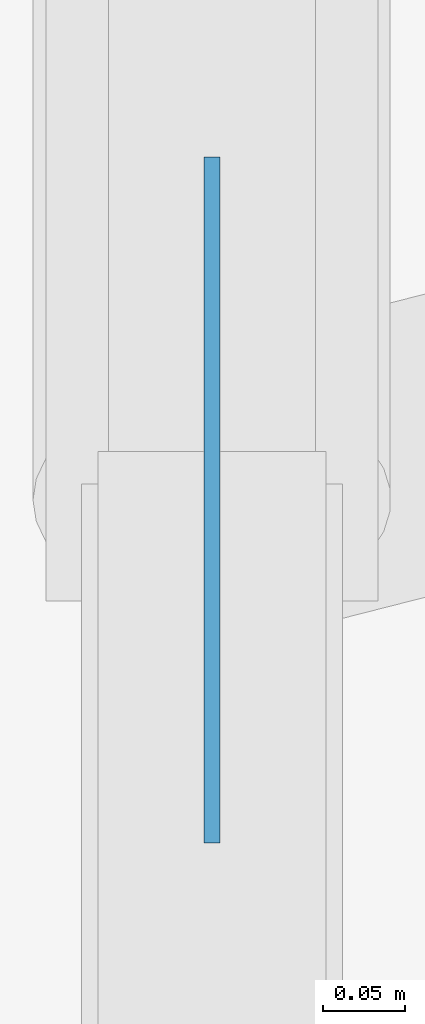
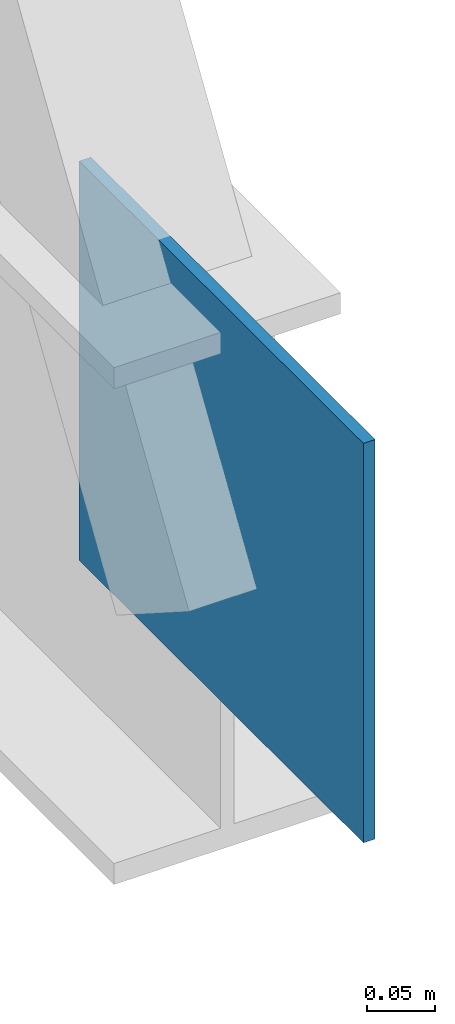
# One storey, part 60 of 100: 1 plate.
"""IFC4 building model written with IfcOpenShell, lengths in metres."""

import ifcopenshell
import ifcopenshell.guid

model = None  # the IFC model being written
_history = None  # IfcOwnerHistory: only IFC2X3 demands one
_inside = {}  # id of a spatial element -> (the spatial element, [elements in it])
_under = {}  # id of a project, library or spatial element -> (it, [spatial elements below it])
_declared = {}  # id of a project -> (the project, [libraries it declares])
_typed = {}  # id of a type object -> (the type object, [elements of that type])
_made_of = {}  # id of a material, layer set ... -> (it, [elements and type objects made of it])


def new_model(schema):
    """Start an empty IFC model of exactly this schema.

    Asked for "IFC4X3", IfcOpenShell would pick the latest addendum, in which some entities
    have other attributes; the version numbers below select the first issue.
    IFC2X3 requires an IfcOwnerHistory on every rooted entity: one is made here for all.
    """
    global model, _history
    if schema == "IFC4X3":
        model = ifcopenshell.file(schema_version=(4, 3, 0, 0))
    else:
        model = ifcopenshell.file(schema=schema)
    _inside.clear()
    _under.clear()
    _declared.clear()
    _typed.clear()
    _made_of.clear()
    _history = None
    if model.schema == "IFC2X3":
        org = make("IfcOrganization", Name="unknown")
        user = make(
            "IfcPersonAndOrganization",
            ThePerson=make("IfcPerson", FamilyName="unknown"),
            TheOrganization=org,
        )
        app = make(
            "IfcApplication",
            ApplicationDeveloper=org,
            Version="unknown",
            ApplicationFullName="unknown",
            ApplicationIdentifier="unknown",
        )
        _history = make(
            "IfcOwnerHistory",
            OwningUser=user,
            OwningApplication=app,
            ChangeAction="ADDED",
            CreationDate=0,
        )
    return model


def make(cls, **values):
    """One entity of the class cls with the attributes given. An attribute that is None is left unset."""
    return model.create_entity(
        cls, **{name: value for name, value in values.items() if value is not None}
    )


def rooted(cls, **values):
    """An entity with a GlobalId (a new one), such as an element, a storey or a relation."""
    return make(cls, GlobalId=ifcopenshell.guid.new(), OwnerHistory=_history, **values)


def si_unit(unit_type, name, prefix=None):
    """IfcSIUnit, for example si_unit("LENGTHUNIT", "METRE", prefix="MILLI")."""
    return make("IfcSIUnit", UnitType=unit_type, Prefix=prefix, Name=name)


def assignment(units):
    """IfcUnitAssignment: the units of a project."""
    return None if units is None else make("IfcUnitAssignment", Units=units)


def point(xyz):
    """IfcCartesianPoint."""
    return None if xyz is None else make("IfcCartesianPoint", Coordinates=xyz)


def direction(xyz):
    """IfcDirection."""
    return None if xyz is None else make("IfcDirection", DirectionRatios=xyz)


def frame(location, z_axis=None, x_axis=None):
    """IfcAxis2Placement3D, a coordinate frame: its origin and axes. An axis left out is left unset."""
    return make(
        "IfcAxis2Placement3D",
        Location=point(location),
        Axis=direction(z_axis),
        RefDirection=direction(x_axis),
    )


def frame_2d(location, x_axis=None):
    """IfcAxis2Placement2D, a coordinate frame in the plane: its origin and x axis."""
    return make(
        "IfcAxis2Placement2D", Location=point(location), RefDirection=direction(x_axis)
    )


def origin():
    """The frame at (0, 0, 0) with its axes left unset."""
    return frame((0.0, 0.0, 0.0))


def origin_2d():
    """The frame at (0, 0) in the plane with its x axis left unset."""
    return frame_2d((0.0, 0.0))


def place(relative_to, where):
    """IfcLocalPlacement: puts the frame where relative to a parent placement (None: the world)."""
    return make(
        "IfcLocalPlacement", PlacementRelTo=relative_to, RelativePlacement=where
    )


def context(
    kind, dimensions, precision=None, world=None, true_north=None, identifier=None
):
    """IfcGeometricRepresentationContext, for example the 3D "Model" context."""
    return make(
        "IfcGeometricRepresentationContext",
        ContextIdentifier=identifier,
        ContextType=kind,
        CoordinateSpaceDimension=dimensions,
        Precision=precision,
        WorldCoordinateSystem=world,
        TrueNorth=true_north,
    )


def subcontext(parent, identifier, kind, view, scale=None):
    """IfcGeometricRepresentationSubContext, for example "Body" below "Model"."""
    return make(
        "IfcGeometricRepresentationSubContext",
        ContextIdentifier=identifier,
        ContextType=kind,
        ParentContext=parent,
        TargetScale=scale,
        TargetView=view,
    )


def project(units=None, contexts=None):
    """IfcProject with its units and contexts."""
    return rooted(
        "IfcProject",
        Name="project",
        RepresentationContexts=contexts,
        UnitsInContext=assignment(units),
    )


def spatial(cls, under=None, at=None, **own):
    """A site, building, storey or space (cls), placed at a placement, below another one or the project."""
    s = rooted(cls, ObjectPlacement=at, **own)
    if under is not None:
        _under.setdefault(under.id(), (under, []))[1].append(s)
    return s


def profile(cls, at=None, kind="AREA", **sizes):
    """A parametric profile (cls). Its sizes go by their IFC names, for example OverallWidth=200.0."""
    return make(cls, ProfileType=kind, Position=at, **sizes)


def rectangle(**sizes):
    """IfcRectangleProfileDef."""
    return profile("IfcRectangleProfileDef", **sizes)


def extrude(swept, where, along, depth):
    """IfcExtrudedAreaSolid: the profile swept, set in the frame where, extruded along a direction by depth."""
    return make(
        "IfcExtrudedAreaSolid",
        SweptArea=swept,
        Position=where,
        ExtrudedDirection=direction(along),
        Depth=depth,
    )


def shape(context_of_items, identifier, shape_type, items):
    """IfcShapeRepresentation: the items that make up one representation, for example the "Body"."""
    return make(
        "IfcShapeRepresentation",
        ContextOfItems=context_of_items,
        RepresentationIdentifier=identifier,
        RepresentationType=shape_type,
        Items=items,
    )


def material(Name=None, Category=None):
    """IfcMaterial."""
    return make("IfcMaterial", Name=Name, Category=Category)


def layer(
    of_material, thickness, ventilated=None, Name=None, Category=None, Priority=None
):
    """IfcMaterialLayer: one layer of a wall or slab, of a material (None: an air gap)."""
    return make(
        "IfcMaterialLayer",
        Material=of_material,
        LayerThickness=thickness,
        IsVentilated=ventilated,
        Name=Name,
        Category=Category,
        Priority=Priority,
    )


def layer_set(layers, Name=None):
    """IfcMaterialLayerSet."""
    return make("IfcMaterialLayerSet", MaterialLayers=layers, LayerSetName=Name)


def made_of(thing, what):
    """Note that an element or type object is made of a material, layer set ...; save() writes the relation."""
    if what is not None:
        _made_of.setdefault(what.id(), (what, []))[1].append(thing)
    return thing


def type_object(cls, material=None, **own):
    """A type object (cls), such as IfcWallType, which elements share."""
    return made_of(rooted(cls, **own), material)


def element(
    cls,
    number,
    at=None,
    inside=None,
    cuts=None,
    type_object=None,
    material=None,
    context=None,
    identifier="Body",
    shape_type=None,
    held_by="IfcProductDefinitionShape",
    body=None,
    shapes=None,
    **own,
):
    """One element of the class cls, such as IfcWall. Its Tag is "e" and its number.

    at: its placement. inside: the storey or other place that contains it. cuts: it is an
    opening in that element (IfcRelVoidsElement). A single representation is given by context,
    identifier, shape_type and body (its items); several are given by shapes. held_by: the class
    of the entity that holds the representations. save() writes the other relations.
    """
    e = rooted(cls, Tag="e%d" % number, ObjectPlacement=at, **own)
    if body is not None:
        shapes = [shape(context, identifier, shape_type, body)]
    if shapes is not None:
        e.Representation = make(held_by, Representations=shapes)
    if inside is not None:
        _inside.setdefault(inside.id(), (inside, []))[1].append(e)
    if cuts is not None:
        rooted(
            "IfcRelVoidsElement", RelatingBuildingElement=cuts, RelatedOpeningElement=e
        )
    if type_object is not None:
        _typed.setdefault(type_object.id(), (type_object, []))[1].append(e)
    return made_of(e, material)


def aggregate(whole, parts):
    """IfcRelAggregates: a whole, such as a stair, and the parts it consists of."""
    return rooted("IfcRelAggregates", RelatingObject=whole, RelatedObjects=parts)


def save(model, path):
    """Write the relations noted so far, then the file.

    IfcRelAggregates (storeys below a building ...), IfcRelContainedInSpatialStructure (elements
    in a storey), IfcRelDefinesByType, IfcRelAssociatesMaterial and IfcRelDeclares: one each for
    every whole, place, type object, material and project.
    """
    for whole, parts in _under.values():
        aggregate(whole, parts)
    for where, things in _inside.values():
        rooted(
            "IfcRelContainedInSpatialStructure",
            RelatedElements=things,
            RelatingStructure=where,
        )
    for kind, things in _typed.values():
        rooted("IfcRelDefinesByType", RelatedObjects=things, RelatingType=kind)
    for what, things in _made_of.values():
        rooted("IfcRelAssociatesMaterial", RelatedObjects=things, RelatingMaterial=what)
    for by, libraries in _declared.values():
        rooted("IfcRelDeclares", RelatingContext=by, RelatedDefinitions=libraries)
    model.write(path)


model = new_model("IFC4")

# Units and contexts
model_context = context("Model", 3, precision=1e-05, world=origin(), true_north=direction((0.0, 1.0)))
body_context = subcontext(model_context, "Body", "Model", "MODEL_VIEW")
ifc_project = project(units=[si_unit("LENGTHUNIT", "METRE"), si_unit("AREAUNIT", "SQUARE_METRE"), si_unit("VOLUMEUNIT", "CUBIC_METRE"), si_unit("PLANEANGLEUNIT", "RADIAN"), si_unit("MASSUNIT", "GRAM", prefix="KILO")], contexts=[model_context])

# Site, building, storey
site_placement = place(None, origin())
site = spatial("IfcSite", under=ifc_project, at=site_placement, CompositionType="ELEMENT")
building_placement = place(site_placement, origin())
building = spatial("IfcBuilding", under=site, at=building_placement, Name="Steenspoor Specialist Clinic", CompositionType="ELEMENT")
storey_placement = place(building_placement, frame((0.0, 0.0, 9.0)))
storey = spatial("IfcBuildingStorey", under=building, at=storey_placement, Name="L02", CompositionType="ELEMENT", Elevation=9.0)

# Plate
ifc_material = material(Name="Steel A572 Grade 50", Category="steel")
ifc_layer = layer(ifc_material, 0.010009765625)
ifc_layer_set = layer_set([ifc_layer], Name="Steel A572 Grade 50")
plate_type = type_object("IfcPlateType", Name="PL-CAP-10", PredefinedType="SHEET", material=ifc_layer_set)
plate_placement = place(storey_placement, frame((74.0, 65.14990234375, 0.15283203125), z_axis=(0.0, 0.0, 1.0), x_axis=(1.0, 0.0, 0.0)))
element("IfcPlate", 1, at=plate_placement, inside=storey, type_object=plate_type, Name="Truss Gusset Plate GP-10", PredefinedType="SHEET", context=body_context, shape_type="SweptSolid", body=[
    extrude(rectangle(XDim=0.010009765625, YDim=0.419921875, at=origin_2d()), origin(), (0.0, 0.0, 1.0), 0.360107421875),
])

save(model, "model.ifc")
